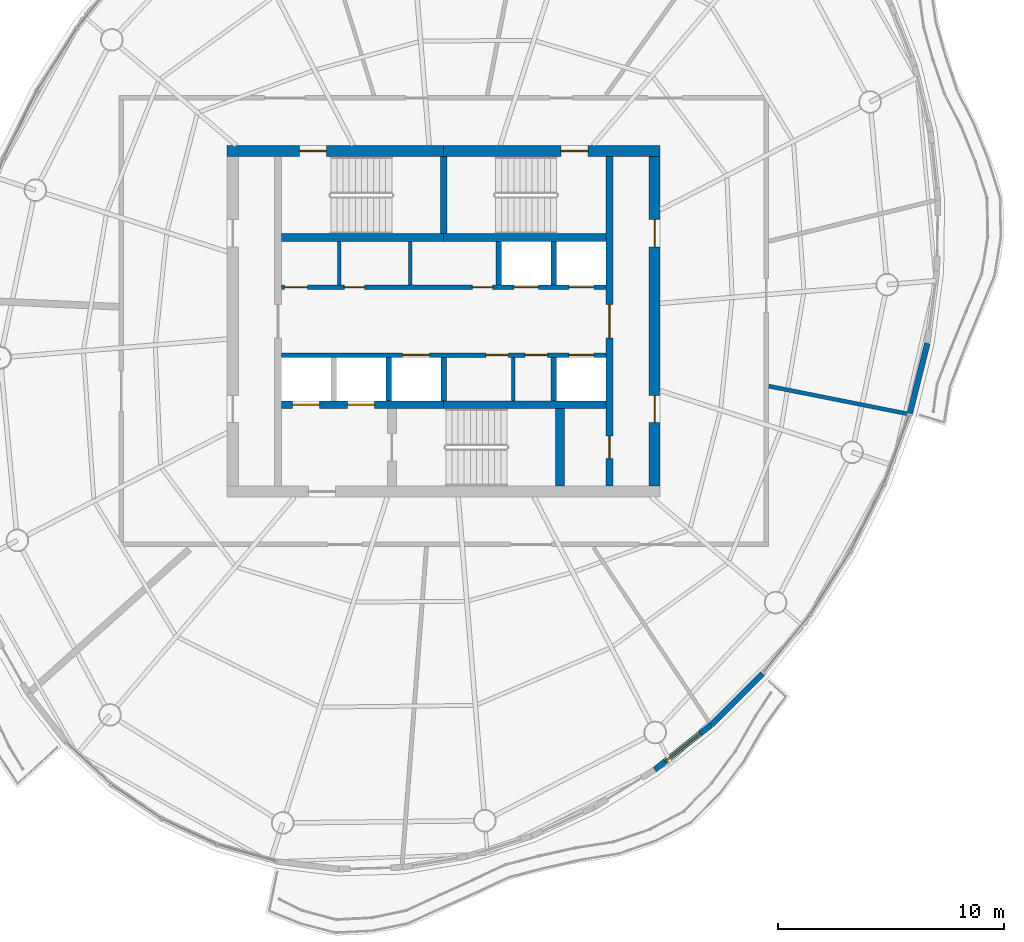
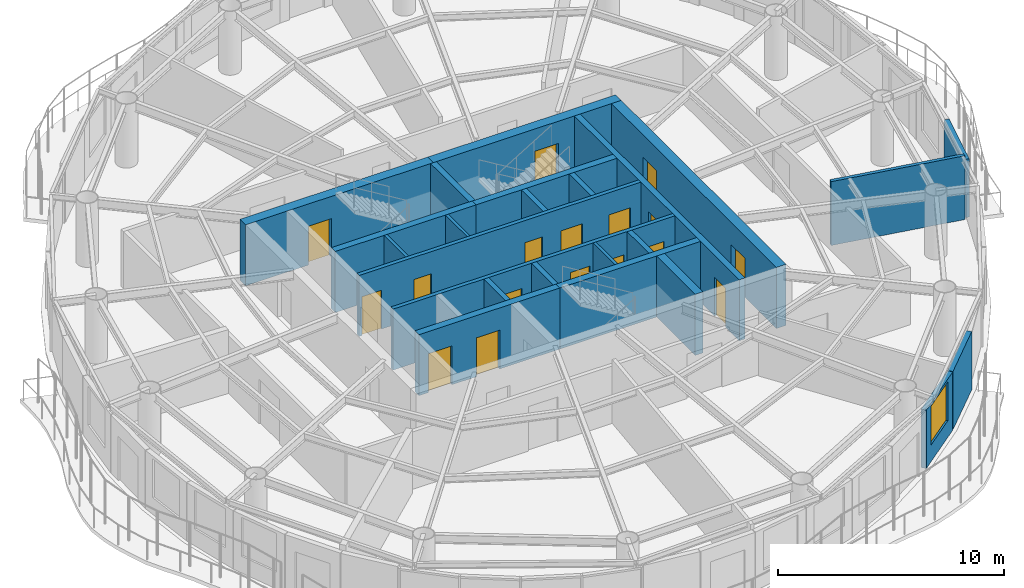
# One storey, part 8 of 13: 24 walls, 17 doors, 1 window, 18 openings.
"""IFC4 building model written with IfcOpenShell, lengths in metres."""

from ifc_helpers import new_model, si_unit, direction, frame, frame_2d, origin, place, context, subcontext, project, spatial, rectangle, extrude, material, layer, layer_set, type_object, element, fill, save


model = new_model("IFC4")

# Units and contexts
model_context = context("Model", 3, precision=1e-05, world=origin(), true_north=direction((0.0, 1.0)))
body_context = subcontext(model_context, "Body", "Model", "MODEL_VIEW")
ifc_project = project(units=[si_unit("LENGTHUNIT", "METRE"), si_unit("AREAUNIT", "SQUARE_METRE"), si_unit("VOLUMEUNIT", "CUBIC_METRE"), si_unit("PLANEANGLEUNIT", "RADIAN"), si_unit("MASSUNIT", "GRAM", prefix="KILO")], contexts=[model_context])

# Site, building, storey
site_placement = place(None, origin())
site = spatial("IfcSite", under=ifc_project, at=site_placement, CompositionType="ELEMENT")
building_placement = place(site_placement, origin())
building = spatial("IfcBuilding", under=site, at=building_placement, Name="Vermilion Reach Broadcast Tower", CompositionType="ELEMENT")
storey_placement = place(building_placement, frame((0.0, 0.0, 275.699951171875)))
storey = spatial("IfcBuildingStorey", under=building, at=storey_placement, Name="L68", CompositionType="ELEMENT", Elevation=275.699951171875)

# Wall, openings, doors
ifc_material_1 = material(Name="Concrete C50", Category="concrete")
ifc_layer_1 = layer(ifc_material_1, 0.300048828125)
ifc_layer_set_1 = layer_set([ifc_layer_1], Name="Core inner wall 300 mm Concrete C50")
wall_type_1 = type_object("IfcWallType", Name="Core inner wall 300 mm Concrete C50", PredefinedType="SHEAR", material=ifc_layer_set_1)
wall_1_placement = place(storey_placement, frame((1.35009765625, -7.300048828125, 0.0), z_axis=(0.0, 0.0, 1.0), x_axis=(0.0, 1.0, 0.0)))
wall_1 = element("IfcWall", 1, at=wall_1_placement, inside=storey, type_object=wall_type_1, Name="L68 core wall ewE", PredefinedType="SHEAR", context=body_context, shape_type="SweptSolid", body=[
    extrude(rectangle(XDim=14.60009765625, YDim=0.300048828125, at=frame_2d((7.300048828125, 0.0))), origin(), (0.0, 0.0, 1.0), 3.300048828125),
])
opening_1_placement = place(wall_1_placement, frame((1.2099609375, 0.0, 0.0)))
opening_1 = element("IfcOpeningElement", 2, at=opening_1_placement, cuts=wall_1, Name="Opening D05", PredefinedType="OPENING", context=body_context, shape_type="SweptSolid", body=[
    extrude(rectangle(XDim=1.0, YDim=2.10009765625, at=frame_2d((0.5, 1.050048828125))), frame((0.0, 0.159912109375, 0.0), z_axis=(0.0, -1.0, 0.0), x_axis=(1.0, 0.0, 0.0)), (0.0, 0.0, 1.0), 0.320068359375),
])
opening_2_placement = place(wall_1_placement, frame((6.550048828125, 0.0, 0.0)))
opening_2 = element("IfcOpeningElement", 3, at=opening_2_placement, cuts=wall_1, Name="Opening D04", PredefinedType="OPENING", context=body_context, shape_type="SweptSolid", body=[
    extrude(rectangle(XDim=1.5, YDim=2.10009765625, at=frame_2d((0.75, 1.050048828125))), frame((0.0, 0.159912109375, 0.0), z_axis=(0.0, -1.0, 0.0), x_axis=(1.0, 0.0, 0.0)), (0.0, 0.0, 1.0), 0.320068359375),
])
ifc_material_2 = material(Name="Painted steel fire door", Category="steel")
door_type_1 = type_object("IfcDoorType", Name="Lift lobby door 1500 x 2100", OperationType="DOUBLE_DOOR_SINGLE_SWING", PredefinedType="NOTDEFINED", material=ifc_material_2)
door_1_placement = place(opening_2_placement, origin())
door_1 = element("IfcDoor", 4, at=door_1_placement, inside=storey, type_object=door_type_1, Name="L68 band door BE", OperationType="DOUBLE_DOOR_SINGLE_SWING", OverallHeight=2.10009765625, OverallWidth=1.5, PredefinedType="NOTDEFINED", context=body_context, shape_type="SweptSolid", body=[
    extrude(rectangle(XDim=1.5, YDim=2.10009765625, at=frame_2d((0.75, 1.050048828125))), frame((0.0, 0.02490234375, 0.0), z_axis=(0.0, -1.0, 0.0), x_axis=(1.0, 0.0, 0.0)), (0.0, 0.0, 1.0), 0.050048828125),
])
fill(opening_2, door_1)
ifc_material_3 = material(Name="Timber door", Category="wood")
door_type_2 = type_object("IfcDoorType", Name="Room door 1000 x 2100", OperationType="NOTDEFINED", PredefinedType="NOTDEFINED", material=ifc_material_3)
door_2_placement = place(opening_1_placement, origin())
door_2 = element("IfcDoor", 5, at=door_2_placement, inside=storey, type_object=door_type_2, Name="L68 door SER", OperationType="SINGLE_SWING_LEFT", OverallHeight=2.10009765625, OverallWidth=1.0, PredefinedType="NOTDEFINED", context=body_context, shape_type="SweptSolid", body=[
    extrude(rectangle(XDim=1.0, YDim=2.10009765625, at=frame_2d((0.5, 1.050048828125))), frame((0.0, 0.02490234375, 0.0), z_axis=(0.0, -1.0, 0.0), x_axis=(1.0, 0.0, 0.0)), (0.0, 0.0, 1.0), 0.050048828125),
])
fill(opening_1, door_2)

# Walls
wall_2_placement = place(storey_placement, frame((-6.0, 3.8798828125, 0.0), z_axis=(0.0, 0.0, 1.0), x_axis=(0.0, 1.0, 0.0)))
element("IfcWall", 6, at=wall_2_placement, inside=storey, type_object=wall_type_1, Name="L68 core wall wc", PredefinedType="SHEAR", context=body_context, shape_type="SweptSolid", body=[
    extrude(rectangle(XDim=3.420166015625, YDim=0.300048828125, at=frame_2d((1.7099609375, 0.0))), origin(), (0.0, 0.0, 1.0), 3.300048828125),
])
ifc_material_4 = material(Name="Concrete C50", Category="concrete")
ifc_layer_2 = layer(ifc_material_4, 0.35009765625)
ifc_layer_set_2 = layer_set([ifc_layer_2], Name="Core inner wall 350 mm Concrete C50")
wall_type_2 = type_object("IfcWallType", Name="Core inner wall 350 mm Concrete C50", PredefinedType="SHEAR", material=ifc_layer_set_2)
for number, where, z_axis, x_axis, name in (
    (7, (-13.199951171875, 3.705078125, 0.0), (0.0, 0.0, 1.0), (1.0, 0.0, 0.0), "L68 core wall winW"),
    (8, (-6.0, 3.705078125, 0.0), (0.0, 0.0, 1.0), (1.0, 0.0, 0.0), "L68 core wall winE"),
):
    element("IfcWall", number, at=place(storey_placement, frame(where, z_axis=z_axis, x_axis=x_axis)), inside=storey, type_object=wall_type_2, Name=name, PredefinedType="SHEAR", context=body_context, shape_type="SweptSolid", body=[
        extrude(rectangle(XDim=7.199951171875, YDim=0.35009765625, at=frame_2d((3.60009765625, 0.0))), origin(), (0.0, 0.0, 1.0), 3.300048828125),
    ])

# Wall, openings, doors
wall_3_placement = place(storey_placement, frame((-13.199951171875, -3.705078125, 0.0), z_axis=(0.0, 0.0, 1.0), x_axis=(1.0, 0.0, 0.0)))
wall_3 = element("IfcWall", 9, at=wall_3_placement, inside=storey, type_object=wall_type_2, Name="L68 core wall wisW", PredefinedType="SHEAR", context=body_context, shape_type="SweptSolid", body=[
    extrude(rectangle(XDim=7.199951171875, YDim=0.35009765625, at=frame_2d((3.60009765625, 0.0))), origin(), (0.0, 0.0, 1.0), 3.300048828125),
])
opening_3_placement = place(wall_3_placement, frame((0.495849609375, 0.0, 0.0)))
opening_3 = element("IfcOpeningElement", 10, at=opening_3_placement, cuts=wall_3, Name="Opening LD1", PredefinedType="OPENING", context=body_context, shape_type="SweptSolid", body=[
    extrude(rectangle(XDim=1.199951171875, YDim=2.10009765625, at=frame_2d((0.60009765625, 1.050048828125))), frame((0.0, 0.18505859375, 0.0), z_axis=(0.0, -1.0, 0.0), x_axis=(1.0, 0.0, 0.0)), (0.0, 0.0, 1.0), 0.3701171875),
])
opening_4_placement = place(wall_3_placement, frame((2.9375, 0.0, 0.0)))
opening_4 = element("IfcOpeningElement", 11, at=opening_4_placement, cuts=wall_3, Name="Opening LD1", PredefinedType="OPENING", context=body_context, shape_type="SweptSolid", body=[
    extrude(rectangle(XDim=1.199951171875, YDim=2.10009765625, at=frame_2d((0.60009765625, 1.050048828125))), frame((0.0, 0.18505859375, 0.0), z_axis=(0.0, -1.0, 0.0), x_axis=(1.0, 0.0, 0.0)), (0.0, 0.0, 1.0), 0.3701171875),
])
ifc_material_5 = material(Name="Stainless steel", Category="steel")
door_type_3 = type_object("IfcDoorType", Name="Landing door 1200 x 2100", OperationType="DOUBLE_DOOR_SLIDING", PredefinedType="NOTDEFINED", material=ifc_material_5)
door_3_placement = place(opening_3_placement, origin())
door_3 = element("IfcDoor", 12, at=door_3_placement, inside=storey, type_object=door_type_3, Name="L68 landing door FF1", OperationType="DOUBLE_DOOR_SLIDING", OverallHeight=2.10009765625, OverallWidth=1.199951171875, PredefinedType="NOTDEFINED", context=body_context, shape_type="SweptSolid", body=[
    extrude(rectangle(XDim=1.199951171875, YDim=2.10009765625, at=frame_2d((0.60009765625, 1.050048828125))), frame((0.0, 0.02490234375, 0.0), z_axis=(0.0, -1.0, 0.0), x_axis=(1.0, 0.0, 0.0)), (0.0, 0.0, 1.0), 0.050048828125),
])
fill(opening_3, door_3)
door_4_placement = place(opening_4_placement, origin())
door_4 = element("IfcDoor", 13, at=door_4_placement, inside=storey, type_object=door_type_3, Name="L68 landing door FF2", OperationType="DOUBLE_DOOR_SLIDING", OverallHeight=2.10009765625, OverallWidth=1.199951171875, PredefinedType="NOTDEFINED", context=body_context, shape_type="SweptSolid", body=[
    extrude(rectangle(XDim=1.199951171875, YDim=2.10009765625, at=frame_2d((0.60009765625, 1.050048828125))), frame((0.0, 0.02490234375, 0.0), z_axis=(0.0, -1.0, 0.0), x_axis=(1.0, 0.0, 0.0)), (0.0, 0.0, 1.0), 0.050048828125),
])
fill(opening_4, door_4)

# Walls
wall_4_placement = place(storey_placement, frame((-6.0, -3.705078125, 0.0), z_axis=(0.0, 0.0, 1.0), x_axis=(1.0, 0.0, 0.0)))
element("IfcWall", 14, at=wall_4_placement, inside=storey, type_object=wall_type_2, Name="L68 core wall wisE", PredefinedType="SHEAR", context=body_context, shape_type="SweptSolid", body=[
    extrude(rectangle(XDim=7.199951171875, YDim=0.35009765625, at=frame_2d((3.60009765625, 0.0))), origin(), (0.0, 0.0, 1.0), 3.300048828125),
])
ifc_material_6 = material(Name="Concrete C50", Category="concrete")
ifc_layer_3 = layer(ifc_material_6, 0.39990234375)
ifc_layer_set_3 = layer_set([ifc_layer_3], Name="Core inner wall 400 mm Concrete C50")
wall_type_3 = type_object("IfcWallType", Name="Core inner wall 400 mm Concrete C50", PredefinedType="SHEAR", material=ifc_layer_set_3)
wall_5_placement = place(storey_placement, frame((-0.85009765625, -3.8798828125, 0.0), z_axis=(0.0, 0.0, 1.0), x_axis=(0.0, -1.0, 0.0)))
element("IfcWall", 15, at=wall_5_placement, inside=storey, type_object=wall_type_3, Name="L68 core wall wb", PredefinedType="SHEAR", context=body_context, shape_type="SweptSolid", body=[
    extrude(rectangle(XDim=3.420166015625, YDim=0.39990234375, at=frame_2d((1.7099609375, 0.0))), origin(), (0.0, 0.0, 1.0), 3.300048828125),
])

# Wall, opening, door
ifc_material_7 = material(Name="Concrete C50", Category="concrete")
ifc_layer_4 = layer(ifc_material_7, 0.5)
ifc_layer_set_4 = layer_set([ifc_layer_4], Name="Core outer wall 500 mm Concrete C50")
wall_type_4 = type_object("IfcWallType", Name="Core outer wall 500 mm Concrete C50", PredefinedType="SHEAR", material=ifc_layer_set_4)
wall_6_placement = place(storey_placement, frame((3.60009765625, 7.550048828125, 0.0), z_axis=(0.0, 0.0, 1.0), x_axis=(-1.0, 0.0, 0.0)))
wall_6 = element("IfcWall", 16, at=wall_6_placement, inside=storey, type_object=wall_type_4, Name="L68 core wall onE", PredefinedType="SHEAR", context=body_context, shape_type="SweptSolid", body=[
    extrude(rectangle(XDim=9.60009765625, YDim=0.5, at=frame_2d((4.800048828125, 0.0))), origin(), (0.0, 0.0, 1.0), 3.300048828125),
])
opening_5_placement = place(wall_6_placement, frame((3.199951171875, 0.0, 0.0)))
opening_5 = element("IfcOpeningElement", 17, at=opening_5_placement, cuts=wall_6, Name="Opening D01", PredefinedType="OPENING", context=body_context, shape_type="SweptSolid", body=[
    extrude(rectangle(XDim=1.199951171875, YDim=2.10009765625, at=frame_2d((0.60009765625, 1.050048828125))), frame((0.0, 0.260009765625, 0.0), z_axis=(0.0, -1.0, 0.0), x_axis=(1.0, 0.0, 0.0)), (0.0, 0.0, 1.0), 0.52001953125),
])
ifc_material_8 = material(Name="Painted steel fire door", Category="steel")
door_type_4 = type_object("IfcDoorType", Name="Stair door 1200 x 2100", OperationType="DOUBLE_DOOR_SINGLE_SWING", PredefinedType="NOTDEFINED", material=ifc_material_8)
door_5_placement = place(opening_5_placement, origin())
door_5 = element("IfcDoor", 18, at=door_5_placement, inside=storey, type_object=door_type_4, Name="L68 stair door ST2", OperationType="DOUBLE_DOOR_SINGLE_SWING", OverallHeight=2.10009765625, OverallWidth=1.199951171875, PredefinedType="NOTDEFINED", context=body_context, shape_type="SweptSolid", body=[
    extrude(rectangle(XDim=1.199951171875, YDim=2.10009765625, at=frame_2d((0.60009765625, 1.050048828125))), frame((0.0, 0.02490234375, 0.0), z_axis=(0.0, -1.0, 0.0), x_axis=(1.0, 0.0, 0.0)), (0.0, 0.0, 1.0), 0.050048828125),
])
fill(opening_5, door_5)

wall_7_placement = place(storey_placement, frame((-6.0, 7.550048828125, 0.0), z_axis=(0.0, 0.0, 1.0), x_axis=(-1.0, 0.0, 0.0)))
wall_7 = element("IfcWall", 19, at=wall_7_placement, inside=storey, type_object=wall_type_4, Name="L68 core wall onW", PredefinedType="SHEAR", context=body_context, shape_type="SweptSolid", body=[
    extrude(rectangle(XDim=9.60009765625, YDim=0.5, at=frame_2d((4.800048828125, 0.0))), origin(), (0.0, 0.0, 1.0), 3.300048828125),
])
opening_6_placement = place(wall_7_placement, frame((5.199951171875, 0.0, 0.0)))
opening_6 = element("IfcOpeningElement", 20, at=opening_6_placement, cuts=wall_7, Name="Opening D01", PredefinedType="OPENING", context=body_context, shape_type="SweptSolid", body=[
    extrude(rectangle(XDim=1.199951171875, YDim=2.10009765625, at=frame_2d((0.60009765625, 1.050048828125))), frame((0.0, 0.260009765625, 0.0), z_axis=(0.0, -1.0, 0.0), x_axis=(1.0, 0.0, 0.0)), (0.0, 0.0, 1.0), 0.52001953125),
])
door_6_placement = place(opening_6_placement, origin())
door_6 = element("IfcDoor", 21, at=door_6_placement, inside=storey, type_object=door_type_4, Name="L68 stair door ST1", OperationType="DOUBLE_DOOR_SINGLE_SWING", OverallHeight=2.10009765625, OverallWidth=1.199951171875, PredefinedType="NOTDEFINED", context=body_context, shape_type="SweptSolid", body=[
    extrude(rectangle(XDim=1.199951171875, YDim=2.10009765625, at=frame_2d((0.60009765625, 1.050048828125))), frame((0.0, 0.02490234375, 0.0), z_axis=(0.0, -1.0, 0.0), x_axis=(1.0, 0.0, 0.0)), (0.0, 0.0, 1.0), 0.050048828125),
])
fill(opening_6, door_6)

# Wall, openings, doors
wall_8_placement = place(storey_placement, frame((3.35009765625, -7.300048828125, 0.0), z_axis=(0.0, 0.0, 1.0), x_axis=(0.0, 1.0, 0.0)))
wall_8 = element("IfcWall", 22, at=wall_8_placement, inside=storey, type_object=wall_type_4, Name="L68 core wall oe", PredefinedType="SHEAR", context=body_context, shape_type="SweptSolid", body=[
    extrude(rectangle(XDim=14.60009765625, YDim=0.5, at=frame_2d((7.300048828125, 0.0))), origin(), (0.0, 0.0, 1.0), 3.300048828125),
])
opening_7_placement = place(wall_8_placement, frame((2.800048828125, 0.0, 0.0)))
opening_7 = element("IfcOpeningElement", 23, at=opening_7_placement, cuts=wall_8, Name="Opening D03", PredefinedType="OPENING", context=body_context, shape_type="SweptSolid", body=[
    extrude(rectangle(XDim=1.199951171875, YDim=2.10009765625, at=frame_2d((0.60009765625, 1.050048828125))), frame((0.0, 0.260009765625, 0.0), z_axis=(0.0, -1.0, 0.0), x_axis=(1.0, 0.0, 0.0)), (0.0, 0.0, 1.0), 0.52001953125),
])
opening_8_placement = place(wall_8_placement, frame((10.60009765625, 0.0, 0.0)))
opening_8 = element("IfcOpeningElement", 24, at=opening_8_placement, cuts=wall_8, Name="Opening D03", PredefinedType="OPENING", context=body_context, shape_type="SweptSolid", body=[
    extrude(rectangle(XDim=1.199951171875, YDim=2.10009765625, at=frame_2d((0.60009765625, 1.050048828125))), frame((0.0, 0.260009765625, 0.0), z_axis=(0.0, -1.0, 0.0), x_axis=(1.0, 0.0, 0.0)), (0.0, 0.0, 1.0), 0.52001953125),
])
ifc_material_9 = material(Name="Painted steel fire door", Category="steel")
door_type_5 = type_object("IfcDoorType", Name="Core lobby door 1200 x 2100", OperationType="DOUBLE_DOOR_SINGLE_SWING", PredefinedType="NOTDEFINED", material=ifc_material_9)
door_7_placement = place(opening_7_placement, origin())
door_7 = element("IfcDoor", 25, at=door_7_placement, inside=storey, type_object=door_type_5, Name="L68 slot door E0", OperationType="DOUBLE_DOOR_SINGLE_SWING", OverallHeight=2.10009765625, OverallWidth=1.199951171875, PredefinedType="NOTDEFINED", context=body_context, shape_type="SweptSolid", body=[
    extrude(rectangle(XDim=1.199951171875, YDim=2.10009765625, at=frame_2d((0.60009765625, 1.050048828125))), frame((0.0, 0.02490234375, 0.0), z_axis=(0.0, -1.0, 0.0), x_axis=(1.0, 0.0, 0.0)), (0.0, 0.0, 1.0), 0.050048828125),
])
fill(opening_7, door_7)
door_8_placement = place(opening_8_placement, origin())
door_8 = element("IfcDoor", 26, at=door_8_placement, inside=storey, type_object=door_type_5, Name="L68 slot door E1", OperationType="DOUBLE_DOOR_SINGLE_SWING", OverallHeight=2.10009765625, OverallWidth=1.199951171875, PredefinedType="NOTDEFINED", context=body_context, shape_type="SweptSolid", body=[
    extrude(rectangle(XDim=1.199951171875, YDim=2.10009765625, at=frame_2d((0.60009765625, 1.050048828125))), frame((0.0, 0.02490234375, 0.0), z_axis=(0.0, -1.0, 0.0), x_axis=(1.0, 0.0, 0.0)), (0.0, 0.0, 1.0), 0.050048828125),
])
fill(opening_8, door_8)

# Walls
ifc_material_10 = material(Name="Masonry block", Category="masonry")
ifc_layer_5 = layer(ifc_material_10, 0.14990234375)
ifc_layer_set_5 = layer_set([ifc_layer_5], Name="Core partition wall 150 mm Masonry block")
wall_type_5 = type_object("IfcWallType", Name="Core partition wall 150 mm Masonry block", PredefinedType="PARTITIONING", material=ifc_layer_set_5)
for number, where, z_axis, x_axis, name in (
    (27, (-10.630615234375, 1.60009765625, 0.0), (0.0, 0.0, 1.0), (0.0, 1.0, 0.0), "L68 core wall prN-4630"),
    (28, (-7.489990234375, 1.60009765625, 0.0), (0.0, 0.0, 1.0), (0.0, 1.0, 0.0), "L68 core wall prN-1490"),
    (29, (-2.90966796875, -1.60009765625, 0.0), (0.0, 0.0, 1.0), (0.0, -1.0, 0.0), "L68 core wall prS3090"),
):
    element("IfcWall", number, at=place(storey_placement, frame(where, z_axis=z_axis, x_axis=x_axis)), inside=storey, type_object=wall_type_5, Name=name, PredefinedType="PARTITIONING", context=body_context, shape_type="SweptSolid", body=[
        extrude(rectangle(XDim=1.929931640625, YDim=0.14990234375, at=frame_2d((0.96484375, 0.0))), origin(), (0.0, 0.0, 1.0), 3.300048828125),
    ])

# Wall, openings, doors
ifc_material_11 = material(Name="Concrete C50", Category="concrete")
ifc_layer_6 = layer(ifc_material_11, 0.199951171875)
ifc_layer_set_6 = layer_set([ifc_layer_6], Name="Core shaft wall 200 mm Concrete C50")
wall_type_6 = type_object("IfcWallType", Name="Core shaft wall 200 mm Concrete C50", PredefinedType="SHEAR", material=ifc_layer_set_6)
wall_9_placement = place(storey_placement, frame((-13.199951171875, 1.5, 0.0), z_axis=(0.0, 0.0, 1.0), x_axis=(1.0, 0.0, 0.0)))
wall_9 = element("IfcWall", 30, at=wall_9_placement, inside=storey, type_object=wall_type_6, Name="L68 core wall fn", PredefinedType="SHEAR", context=body_context, shape_type="SweptSolid", body=[
    extrude(rectangle(XDim=14.39990234375, YDim=0.199951171875, at=frame_2d((7.199951171875, 0.0))), origin(), (0.0, 0.0, 1.0), 3.300048828125),
])
opening_9_placement = place(wall_9_placement, frame((10.3125, 0.0, 0.0)))
opening_9 = element("IfcOpeningElement", 31, at=opening_9_placement, cuts=wall_9, Name="Opening LD2", PredefinedType="OPENING", context=body_context, shape_type="SweptSolid", body=[
    extrude(rectangle(XDim=1.10009765625, YDim=2.10009765625, at=frame_2d((0.550048828125, 1.050048828125))), frame((0.0, 0.10986328125, 0.0), z_axis=(0.0, -1.0, 0.0), x_axis=(1.0, 0.0, 0.0)), (0.0, 0.0, 1.0), 0.219970703125),
])
opening_10_placement = place(wall_9_placement, frame((12.754150390625, 0.0, 0.0)))
opening_10 = element("IfcOpeningElement", 32, at=opening_10_placement, cuts=wall_9, Name="Opening LD2", PredefinedType="OPENING", context=body_context, shape_type="SweptSolid", body=[
    extrude(rectangle(XDim=1.10009765625, YDim=2.10009765625, at=frame_2d((0.550048828125, 1.050048828125))), frame((0.0, 0.10986328125, 0.0), z_axis=(0.0, -1.0, 0.0), x_axis=(1.0, 0.0, 0.0)), (0.0, 0.0, 1.0), 0.219970703125),
])
opening_11_placement = place(wall_9_placement, frame((0.14990234375, 0.0, 0.0)))
opening_11 = element("IfcOpeningElement", 33, at=opening_11_placement, cuts=wall_9, Name="Opening D10", PredefinedType="OPENING", context=body_context, shape_type="SweptSolid", body=[
    extrude(rectangle(XDim=1.0, YDim=2.10009765625, at=frame_2d((0.5, 1.050048828125))), frame((0.0, 0.10986328125, 0.0), z_axis=(0.0, -1.0, 0.0), x_axis=(1.0, 0.0, 0.0)), (0.0, 0.0, 1.0), 0.219970703125),
])
opening_12_placement = place(wall_9_placement, frame((2.79443359375, 0.0, 0.0)))
opening_12 = element("IfcOpeningElement", 34, at=opening_12_placement, cuts=wall_9, Name="Opening D06", PredefinedType="OPENING", context=body_context, shape_type="SweptSolid", body=[
    extrude(rectangle(XDim=0.89990234375, YDim=2.10009765625, at=frame_2d((0.449951171875, 1.050048828125))), frame((0.0, 0.10986328125, 0.0), z_axis=(0.0, -1.0, 0.0), x_axis=(1.0, 0.0, 0.0)), (0.0, 0.0, 1.0), 0.219970703125),
])
opening_13_placement = place(wall_9_placement, frame((8.466552734375, 0.0, 0.0)))
opening_13 = element("IfcOpeningElement", 35, at=opening_13_placement, cuts=wall_9, Name="Opening D06", PredefinedType="OPENING", context=body_context, shape_type="SweptSolid", body=[
    extrude(rectangle(XDim=0.89990234375, YDim=2.10009765625, at=frame_2d((0.449951171875, 1.050048828125))), frame((0.0, 0.10986328125, 0.0), z_axis=(0.0, -1.0, 0.0), x_axis=(1.0, 0.0, 0.0)), (0.0, 0.0, 1.0), 0.219970703125),
])
ifc_material_12 = material(Name="Stainless steel", Category="steel")
door_type_6 = type_object("IfcDoorType", Name="Landing door 1100 x 2100", OperationType="DOUBLE_DOOR_SLIDING", PredefinedType="NOTDEFINED", material=ifc_material_12)
door_9_placement = place(opening_9_placement, origin())
door_9 = element("IfcDoor", 36, at=door_9_placement, inside=storey, type_object=door_type_6, Name="L68 landing door HR1", OperationType="DOUBLE_DOOR_SLIDING", OverallHeight=2.10009765625, OverallWidth=1.10009765625, PredefinedType="NOTDEFINED", context=body_context, shape_type="SweptSolid", body=[
    extrude(rectangle(XDim=1.10009765625, YDim=2.10009765625, at=frame_2d((0.550048828125, 1.050048828125))), frame((0.0, 0.02490234375, 0.0), z_axis=(0.0, -1.0, 0.0), x_axis=(1.0, 0.0, 0.0)), (0.0, 0.0, 1.0), 0.050048828125),
])
fill(opening_9, door_9)
door_10_placement = place(opening_10_placement, origin())
door_10 = element("IfcDoor", 37, at=door_10_placement, inside=storey, type_object=door_type_6, Name="L68 landing door HR2", OperationType="DOUBLE_DOOR_SLIDING", OverallHeight=2.10009765625, OverallWidth=1.10009765625, PredefinedType="NOTDEFINED", context=body_context, shape_type="SweptSolid", body=[
    extrude(rectangle(XDim=1.10009765625, YDim=2.10009765625, at=frame_2d((0.550048828125, 1.050048828125))), frame((0.0, 0.02490234375, 0.0), z_axis=(0.0, -1.0, 0.0), x_axis=(1.0, 0.0, 0.0)), (0.0, 0.0, 1.0), 0.050048828125),
])
fill(opening_10, door_10)
ifc_material_13 = material(Name="Timber door", Category="wood")
door_type_7 = type_object("IfcDoorType", Name="WC door 900 x 2100", OperationType="NOTDEFINED", PredefinedType="NOTDEFINED", material=ifc_material_13)
door_11_placement = place(opening_12_placement, origin())
door_11 = element("IfcDoor", 38, at=door_11_placement, inside=storey, type_object=door_type_7, Name="L68 door Male WC", OperationType="SINGLE_SWING_LEFT", OverallHeight=2.10009765625, OverallWidth=0.89990234375, PredefinedType="NOTDEFINED", context=body_context, shape_type="SweptSolid", body=[
    extrude(rectangle(XDim=0.89990234375, YDim=2.10009765625, at=frame_2d((0.449951171875, 1.050048828125))), frame((0.0, 0.02490234375, 0.0), z_axis=(0.0, -1.0, 0.0), x_axis=(1.0, 0.0, 0.0)), (0.0, 0.0, 1.0), 0.050048828125),
])
fill(opening_12, door_11)
door_12_placement = place(opening_13_placement, origin())
door_12 = element("IfcDoor", 39, at=door_12_placement, inside=storey, type_object=door_type_7, Name="L68 door Female WC", OperationType="SINGLE_SWING_RIGHT", OverallHeight=2.10009765625, OverallWidth=0.89990234375, PredefinedType="NOTDEFINED", context=body_context, shape_type="SweptSolid", body=[
    extrude(rectangle(XDim=0.89990234375, YDim=2.10009765625, at=frame_2d((0.449951171875, 1.050048828125))), frame((0.0, 0.02490234375, 0.0), z_axis=(0.0, -1.0, 0.0), x_axis=(1.0, 0.0, 0.0)), (0.0, 0.0, 1.0), 0.050048828125),
])
fill(opening_13, door_12)
ifc_material_14 = material(Name="Timber door", Category="wood")
door_type_8 = type_object("IfcDoorType", Name="WC lobby door 1000 x 2100", OperationType="NOTDEFINED", PredefinedType="NOTDEFINED", material=ifc_material_14)
door_13_placement = place(opening_11_placement, origin())
door_13 = element("IfcDoor", 40, at=door_13_placement, inside=storey, type_object=door_type_8, Name="L68 door WC lobby", OperationType="SINGLE_SWING_LEFT", OverallHeight=2.10009765625, OverallWidth=1.0, PredefinedType="NOTDEFINED", context=body_context, shape_type="SweptSolid", body=[
    extrude(rectangle(XDim=1.0, YDim=2.10009765625, at=frame_2d((0.5, 1.050048828125))), frame((0.0, 0.02490234375, 0.0), z_axis=(0.0, -1.0, 0.0), x_axis=(1.0, 0.0, 0.0)), (0.0, 0.0, 1.0), 0.050048828125),
])
fill(opening_11, door_13)

wall_10_placement = place(storey_placement, frame((1.199951171875, -1.5, 0.0), z_axis=(0.0, 0.0, 1.0), x_axis=(-1.0, 0.0, 0.0)))
wall_10 = element("IfcWall", 41, at=wall_10_placement, inside=storey, type_object=wall_type_6, Name="L68 core wall fs", PredefinedType="SHEAR", context=body_context, shape_type="SweptSolid", body=[
    extrude(rectangle(XDim=14.39990234375, YDim=0.199951171875, at=frame_2d((7.199951171875, 0.0))), origin(), (0.0, 0.0, 1.0), 3.300048828125),
])
opening_14_placement = place(wall_10_placement, frame((7.82080078125, 0.0, 0.0)))
opening_14 = element("IfcOpeningElement", 42, at=opening_14_placement, cuts=wall_10, Name="Opening LD1", PredefinedType="OPENING", context=body_context, shape_type="SweptSolid", body=[
    extrude(rectangle(XDim=1.199951171875, YDim=2.10009765625, at=frame_2d((0.60009765625, 1.050048828125))), frame((0.0, 0.10986328125, 0.0), z_axis=(0.0, -1.0, 0.0), x_axis=(1.0, 0.0, 0.0)), (0.0, 0.0, 1.0), 0.219970703125),
])
opening_15_placement = place(wall_10_placement, frame((0.5458984375, 0.0, 0.0)))
opening_15 = element("IfcOpeningElement", 43, at=opening_15_placement, cuts=wall_10, Name="Opening LD2", PredefinedType="OPENING", context=body_context, shape_type="SweptSolid", body=[
    extrude(rectangle(XDim=1.10009765625, YDim=2.10009765625, at=frame_2d((0.550048828125, 1.050048828125))), frame((0.0, 0.10986328125, 0.0), z_axis=(0.0, -1.0, 0.0), x_axis=(1.0, 0.0, 0.0)), (0.0, 0.0, 1.0), 0.219970703125),
])
opening_16_placement = place(wall_10_placement, frame((4.334716796875, 0.0, 0.0)))
opening_16 = element("IfcOpeningElement", 44, at=opening_16_placement, cuts=wall_10, Name="Opening D07", PredefinedType="OPENING", context=body_context, shape_type="SweptSolid", body=[
    extrude(rectangle(XDim=1.0, YDim=2.10009765625, at=frame_2d((0.5, 1.050048828125))), frame((0.0, 0.10986328125, 0.0), z_axis=(0.0, -1.0, 0.0), x_axis=(1.0, 0.0, 0.0)), (0.0, 0.0, 1.0), 0.219970703125),
])
opening_17_placement = place(wall_10_placement, frame((2.591552734375, 0.0, 0.0)))
opening_17 = element("IfcOpeningElement", 45, at=opening_17_placement, cuts=wall_10, Name="Opening D11", PredefinedType="OPENING", context=body_context, shape_type="SweptSolid", body=[
    extrude(rectangle(XDim=1.0, YDim=2.10009765625, at=frame_2d((0.5, 1.050048828125))), frame((0.0, 0.10986328125, 0.0), z_axis=(0.0, -1.0, 0.0), x_axis=(1.0, 0.0, 0.0)), (0.0, 0.0, 1.0), 0.219970703125),
])
ifc_material_15 = material(Name="Timber door", Category="wood")
door_type_9 = type_object("IfcDoorType", Name="Accessible WC door 1000 x 2100", OperationType="NOTDEFINED", PredefinedType="NOTDEFINED", material=ifc_material_15)
door_14_placement = place(opening_16_placement, origin())
door_14 = element("IfcDoor", 46, at=door_14_placement, inside=storey, type_object=door_type_9, Name="L68 door Accessible WC", OperationType="SINGLE_SWING_LEFT", OverallHeight=2.10009765625, OverallWidth=1.0, PredefinedType="NOTDEFINED", context=body_context, shape_type="SweptSolid", body=[
    extrude(rectangle(XDim=1.0, YDim=2.10009765625, at=frame_2d((0.5, 1.050048828125))), frame((0.0, 0.02490234375, 0.0), z_axis=(0.0, -1.0, 0.0), x_axis=(1.0, 0.0, 0.0)), (0.0, 0.0, 1.0), 0.050048828125),
])
fill(opening_16, door_14)
door_15_placement = place(opening_15_placement, origin())
door_15 = element("IfcDoor", 47, at=door_15_placement, inside=storey, type_object=door_type_6, Name="L68 landing door HR3", OperationType="DOUBLE_DOOR_SLIDING", OverallHeight=2.10009765625, OverallWidth=1.10009765625, PredefinedType="NOTDEFINED", context=body_context, shape_type="SweptSolid", body=[
    extrude(rectangle(XDim=1.10009765625, YDim=2.10009765625, at=frame_2d((0.550048828125, 1.050048828125))), frame((0.0, 0.02490234375, 0.0), z_axis=(0.0, -1.0, 0.0), x_axis=(1.0, 0.0, 0.0)), (0.0, 0.0, 1.0), 0.050048828125),
])
fill(opening_15, door_15)
door_16_placement = place(opening_14_placement, origin())
door_16 = element("IfcDoor", 48, at=door_16_placement, inside=storey, type_object=door_type_3, Name="L68 landing door SV1", OperationType="DOUBLE_DOOR_SLIDING", OverallHeight=2.10009765625, OverallWidth=1.199951171875, PredefinedType="NOTDEFINED", context=body_context, shape_type="SweptSolid", body=[
    extrude(rectangle(XDim=1.199951171875, YDim=2.10009765625, at=frame_2d((0.60009765625, 1.050048828125))), frame((0.0, 0.02490234375, 0.0), z_axis=(0.0, -1.0, 0.0), x_axis=(1.0, 0.0, 0.0)), (0.0, 0.0, 1.0), 0.050048828125),
])
fill(opening_14, door_16)
ifc_material_16 = material(Name="Painted steel fire door", Category="steel")
door_type_10 = type_object("IfcDoorType", Name="Services room door 1000 x 2100", OperationType="NOTDEFINED", PredefinedType="NOTDEFINED", material=ifc_material_16)
door_17_placement = place(opening_17_placement, origin())
door_17 = element("IfcDoor", 49, at=door_17_placement, inside=storey, type_object=door_type_10, Name="L68 door Electrical room", OperationType="SINGLE_SWING_LEFT", OverallHeight=2.10009765625, OverallWidth=1.0, PredefinedType="NOTDEFINED", context=body_context, shape_type="SweptSolid", body=[
    extrude(rectangle(XDim=1.0, YDim=2.10009765625, at=frame_2d((0.5, 1.050048828125))), frame((0.0, 0.02490234375, 0.0), z_axis=(0.0, -1.0, 0.0), x_axis=(1.0, 0.0, 0.0)), (0.0, 0.0, 1.0), 0.050048828125),
])
fill(opening_17, door_17)

# Walls
ifc_material_17 = material(Name="Concrete C50", Category="concrete")
ifc_layer_7 = layer(ifc_material_17, 0.25)
ifc_layer_set_7 = layer_set([ifc_layer_7], Name="Core shaft wall 250 mm Concrete C50")
wall_type_7 = type_object("IfcWallType", Name="Core shaft wall 250 mm Concrete C50", PredefinedType="SHEAR", material=ifc_layer_set_7)
for number, where, z_axis, x_axis, name in (
    (50, (-3.558349609375, 1.60009765625, 0.0), (0.0, 0.0, 1.0), (0.0, 1.0, 0.0), "L68 core wall psN3"),
    (51, (-1.11669921875, 1.60009765625, 0.0), (0.0, 0.0, 1.0), (0.0, 1.0, 0.0), "L68 core wall psN4"),
    (52, (-8.441650390625, -1.60009765625, 0.0), (0.0, 0.0, 1.0), (0.0, -1.0, 0.0), "L68 core wall psS1"),
    (53, (-6.0, -1.60009765625, 0.0), (0.0, 0.0, 1.0), (0.0, -1.0, 0.0), "L68 core wall psS2"),
    (54, (-1.11669921875, -1.60009765625, 0.0), (0.0, 0.0, 1.0), (0.0, -1.0, 0.0), "L68 core wall psS4"),
):
    element("IfcWall", number, at=place(storey_placement, frame(where, z_axis=z_axis, x_axis=x_axis)), inside=storey, type_object=wall_type_7, Name=name, PredefinedType="SHEAR", context=body_context, shape_type="SweptSolid", body=[
        extrude(rectangle(XDim=1.929931640625, YDim=0.25, at=frame_2d((0.96484375, 0.0))), origin(), (0.0, 0.0, 1.0), 3.300048828125),
    ])
ifc_material_18 = material(Name="Fire-rated block, plastered")
ifc_layer_8 = layer(ifc_material_18, 0.175048828125)
ifc_layer_set_8 = layer_set([ifc_layer_8], Name="Partition 175 fire-rated block")
wall_type_8 = type_object("IfcWallType", Name="Partition 175 fire-rated block", PredefinedType="PARTITIONING", material=ifc_layer_set_8)
wall_11_placement = place(storey_placement, frame((14.53955078125, -4.10302734375, 0.0), z_axis=(0.0, 0.0, 1.0), x_axis=(-0.980628775035, 0.195875484873, 0.0)))
element("IfcWall", 55, at=wall_11_placement, inside=storey, type_object=wall_type_8, Name="Partition 68.07", PredefinedType="PARTITIONING", context=body_context, shape_type="SweptSolid", body=[
    extrude(rectangle(XDim=6.2431640625, YDim=0.175048828125, at=frame_2d((3.12158203125, 0.0))), origin(), (0.0, 0.0, 1.0), 3.449951171875),
])

# Wall, opening, window
ifc_material_19 = material(Name="Terracotta rainscreen cladding", Category="masonry")
ifc_layer_9 = layer(ifc_material_19, 0.25)
ifc_layer_set_9 = layer_set([ifc_layer_9], Name="Terracotta rainscreen wall 250")
wall_type_9 = type_object("IfcWallType", Name="Terracotta rainscreen wall 250", PredefinedType="SOLIDWALL", material=ifc_layer_set_9)
wall_12_placement = place(storey_placement, frame((3.360107421875, -19.884033203125, 0.0), z_axis=(0.0, 0.0, 1.0), x_axis=(0.782888253788, 0.622162343831, 0.0)))
wall_12 = element("IfcWall", 56, at=wall_12_placement, inside=storey, type_object=wall_type_9, Name="External wall L68 32", PredefinedType="SOLIDWALL", context=body_context, shape_type="SweptSolid", body=[
    extrude(rectangle(XDim=3.18994140625, YDim=0.25, at=frame_2d((1.594970703125, 0.0))), origin(), (0.0, 0.0, 1.0), 3.150146484375),
])
opening_18_placement = place(wall_12_placement, frame((0.594970703125, 0.0, 0.89990234375)))
opening_18 = element("IfcOpeningElement", 57, at=opening_18_placement, cuts=wall_12, Name="Opening W03", PredefinedType="OPENING", context=body_context, shape_type="SweptSolid", body=[
    extrude(rectangle(XDim=2.0, YDim=2.10009765625, at=frame_2d((1.0, 1.050048828125))), frame((0.0, 0.135009765625, 0.0), z_axis=(0.0, -1.0, 0.0), x_axis=(1.0, 0.0, 0.0)), (0.0, 0.0, 1.0), 0.27001953125),
])
ifc_material_20 = material(Name="Low-e laminated clear glass in aluminium frame", Category="aluminium")
window_type = type_object("IfcWindowType", Name="Punched window 2000 x 2100 sill 900", PartitioningType="SINGLE_PANEL", PredefinedType="WINDOW", material=ifc_material_20)
window_placement = place(opening_18_placement, origin())
window = element("IfcWindow", 58, at=window_placement, inside=storey, type_object=window_type, Name="Window L68 32", OverallHeight=2.10009765625, OverallWidth=2.0, PartitioningType="SINGLE_PANEL", PredefinedType="WINDOW", context=body_context, shape_type="SweptSolid", body=[
    extrude(rectangle(XDim=2.0, YDim=2.10009765625, at=frame_2d((1.0, 1.050048828125))), frame((0.0, 0.030029296875, 0.0), z_axis=(0.0, -1.0, 0.0), x_axis=(1.0, 0.0, 0.0)), (0.0, 0.0, 1.0), 0.06005859375),
])
fill(opening_18, window)

# Walls
wall_13_placement = place(storey_placement, frame((5.8740234375, -17.884765625, 0.0), z_axis=(0.0, 0.0, 1.0), x_axis=(0.707869406471, 0.706343332511, 0.0)))
element("IfcWall", 59, at=wall_13_placement, inside=storey, type_object=wall_type_9, Name="External wall L68 33", PredefinedType="SOLIDWALL", context=body_context, shape_type="SweptSolid", body=[
    extrude(rectangle(XDim=3.19970703125, YDim=0.25, at=frame_2d((1.599853515625, 0.0))), origin(), (0.0, 0.0, 1.0), 3.150146484375),
])
wall_14_placement = place(storey_placement, frame((14.67236328125, -4.08642578125, 0.0), z_axis=(0.0, 0.0, 1.0), x_axis=(0.241512076768, 0.97039781367, 0.0)))
element("IfcWall", 60, at=wall_14_placement, inside=storey, type_object=wall_type_9, Name="External wall L68 38", PredefinedType="SOLIDWALL", context=body_context, shape_type="SweptSolid", body=[
    extrude(rectangle(XDim=3.199462890625, YDim=0.25, at=frame_2d((1.599609375, 0.0))), origin(), (0.0, 0.0, 1.0), 3.150146484375),
])

save(model, "model.ifc")
